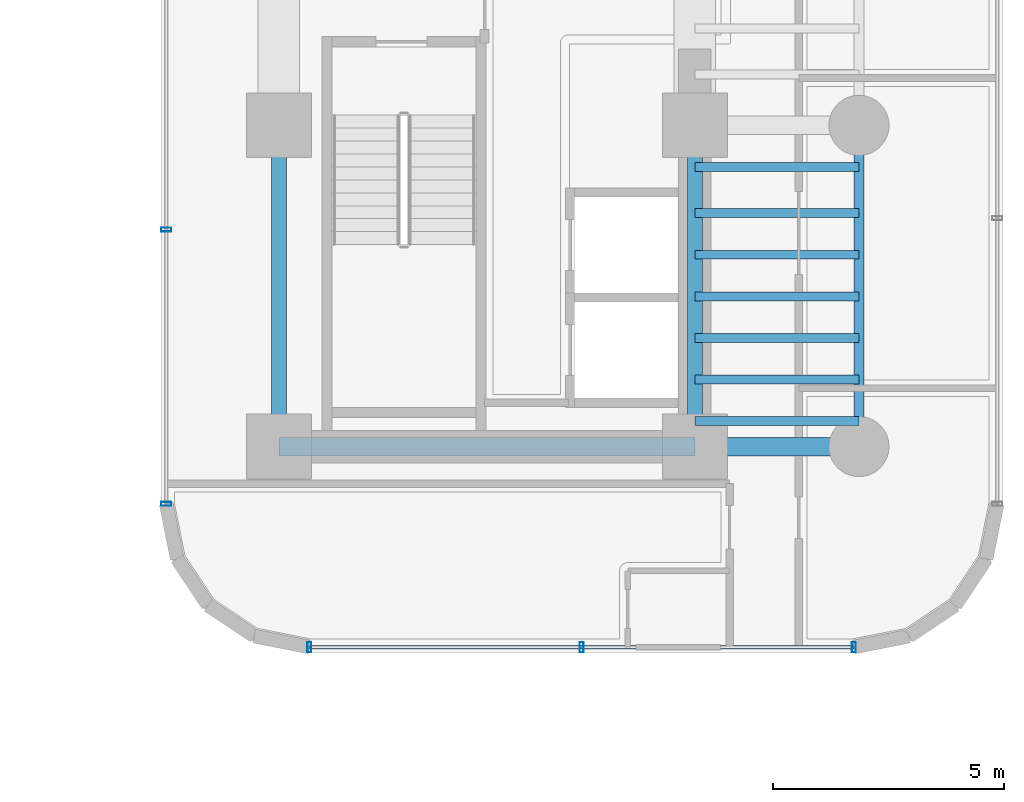
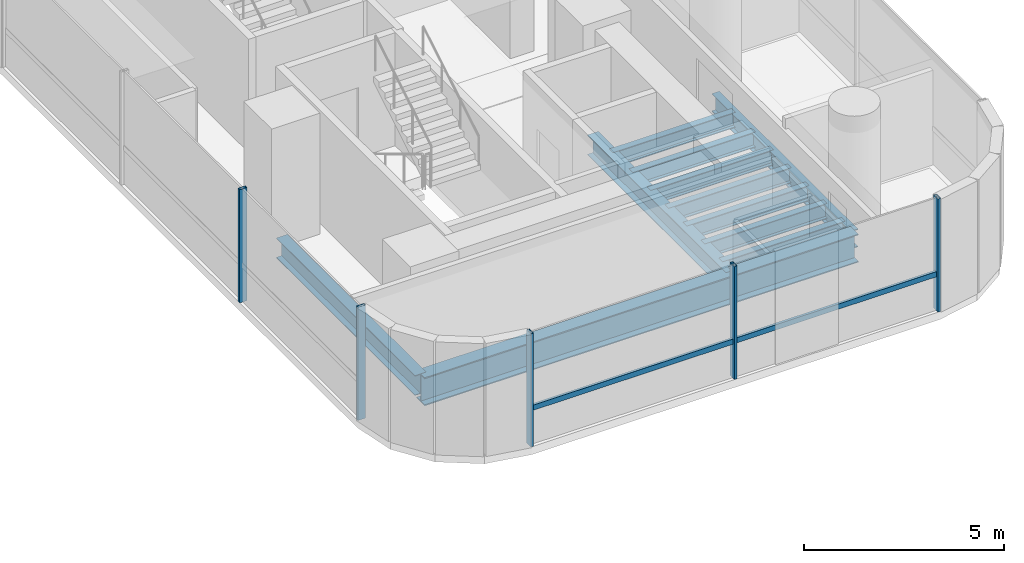
# One storey, part 12 of 40: 12 beams, 6 members, 2 elements without a shape of their own.
"""IFC4 building model written with IfcOpenShell, lengths in metres."""

from ifc_helpers import new_model, si_unit, direction, frame, origin, origin_2d, place, context, subcontext, project, spatial, hollow_rectangle, i_section, extrude, source, transform, mapped, material, material_profile, profile_set, type_object, element, aggregate, save


model = new_model("IFC4")

# Units and contexts
model_context = context("Model", 3, precision=1e-05, world=origin(), true_north=direction((0.0, 1.0)))
body_context = subcontext(model_context, "Body", "Model", "MODEL_VIEW")
ifc_project = project(units=[si_unit("LENGTHUNIT", "METRE"), si_unit("AREAUNIT", "SQUARE_METRE"), si_unit("VOLUMEUNIT", "CUBIC_METRE"), si_unit("PLANEANGLEUNIT", "RADIAN"), si_unit("MASSUNIT", "GRAM", prefix="KILO")], contexts=[model_context])

# Site, building, storey
site_placement = place(None, origin())
site = spatial("IfcSite", under=ifc_project, at=site_placement, CompositionType="ELEMENT")
building_placement = place(site_placement, origin())
building = spatial("IfcBuilding", under=site, at=building_placement, Name="Valdorenza Pilgrim Sanctuary Tower", CompositionType="ELEMENT")
storey_placement = place(building_placement, frame((0.0, 0.0, 40.800048828125)))
storey = spatial("IfcBuildingStorey", under=building, at=storey_placement, Name="L09", CompositionType="ELEMENT", Elevation=40.800048828125)

# Beams
ifc_material_1 = material(Name="Steel ASTM A992 Grade 50", Category="steel")
ifc_material_profile_1 = material_profile(ifc_material_1, i_section(OverallWidth=0.323974609375, OverallDepth=0.611083984375, WebThickness=0.0126953125, FlangeThickness=0.01904296875, at=origin_2d()), Name="W24X104")
ifc_profile_set_1 = profile_set([ifc_material_profile_1], Name="Steel ASTM A992 Grade 50")
beam_type_1 = type_object("IfcBeamType", Name="STR-BM-GRD-W24B", PredefinedType="BEAM", material=ifc_profile_set_1)
shared_shape_1 = source(origin(), body_context, "Body", "SweptSolid", [
    extrude(i_section(OverallWidth=0.323974609375, OverallDepth=0.611083984375, WebThickness=0.0126953125, FlangeThickness=0.01904296875, at=origin_2d()), origin(), (0.0, 0.0, 1.0), 6.949951171875),
])
for number, where, z_axis, x_axis, name in (
    (1, (15.85009765625, -9.550048828125, -0.545654296875), (0.0, 1.0, 0.0), (-1.0, 0.0, 0.0), "L09 Core Tie Girder CB-W-S1M0"),
    (2, (24.85009765625, -9.550048828125, -0.545654296875), (0.0, 1.0, 0.0), (-1.0, 0.0, 0.0), "L09 Core Tie Girder CB-E-S1M0"),
):
    element("IfcBeam", number, at=place(storey_placement, frame(where, z_axis=z_axis, x_axis=x_axis)), inside=storey, type_object=beam_type_1, Name=name, PredefinedType="BEAM", context=body_context, shape_type="MappedRepresentation", body=[
        mapped(shared_shape_1, transform((0.0, 0.0, 0.0), x_axis=(1.0, 0.0, 0.0), y_axis=(0.0, 1.0, 0.0), z_axis=(0.0, 0.0, 1.0), scale=1.0)),
    ])
ifc_material_profile_2 = material_profile(ifc_material_1, i_section(OverallWidth=0.214111328125, OverallDepth=0.549072265625, WebThickness=0.0146484375, FlangeThickness=0.023681640625, at=origin_2d()), Name="W21X93")
ifc_profile_set_2 = profile_set([ifc_material_profile_2], Name="Steel ASTM A992 Grade 50")
beam_type_2 = type_object("IfcBeamType", Name="STR-BM-SPN-W21A", PredefinedType="SPANDREL", material=ifc_profile_set_2)
shared_shape_2 = source(origin(), body_context, "Body", "SweptSolid", [
    extrude(i_section(OverallWidth=0.214111328125, OverallDepth=0.549072265625, WebThickness=0.0146484375, FlangeThickness=0.023681640625, at=origin_2d()), origin(), (0.0, 0.0, 1.0), 6.949951171875),
])
beam_1_placement = place(storey_placement, frame((28.39990234375, -9.550048828125, -0.5146484375), z_axis=(0.0, 1.0, 0.0), x_axis=(-1.0, 0.0, 0.0)))
element("IfcBeam", 3, at=beam_1_placement, inside=storey, type_object=beam_type_2, Name="L09 Spandrel Beam WB-E-S1M0", PredefinedType="SPANDREL", context=body_context, shape_type="MappedRepresentation", body=[
    mapped(shared_shape_2, transform((0.0, 0.0, 0.0), x_axis=(1.0, 0.0, 0.0), y_axis=(0.0, 1.0, 0.0), z_axis=(0.0, 0.0, 1.0), scale=1.0)),
])
ifc_material_profile_3 = material_profile(ifc_material_1, i_section(OverallWidth=0.193115234375, OverallDepth=0.466064453125, WebThickness=0.011474609375, FlangeThickness=0.01904296875, at=origin_2d()), Name="W18X65")
ifc_profile_set_3 = profile_set([ifc_material_profile_3], Name="Steel ASTM A992 Grade 50")
beam_type_3 = type_object("IfcBeamType", Name="STR-BM-JST-W18A", PredefinedType="JOIST", material=ifc_profile_set_3)
shared_shape_3 = source(origin(), body_context, "Body", "SweptSolid", [
    extrude(i_section(OverallWidth=0.193115234375, OverallDepth=0.466064453125, WebThickness=0.011474609375, FlangeThickness=0.01904296875, at=origin_2d()), origin(), (0.0, 0.0, 1.0), 3.5498046875),
])
for number, where, z_axis, x_axis, name in (
    (4, (24.85009765625, -9.0, -0.47314453125), (1.0, 0.0, 0.0), (0.0, 1.0, 0.0), "L09 Composite Floor Joist JST-WB-1"),
    (5, (24.85009765625, -8.10009765625, -0.47314453125), (1.0, 0.0, 0.0), (0.0, 1.0, 0.0), "L09 Composite Floor Joist JST-WB-2"),
    (6, (24.85009765625, -7.199951171875, -0.47314453125), (1.0, 0.0, 0.0), (0.0, 1.0, 0.0), "L09 Composite Floor Joist JST-WB-3"),
    (7, (24.85009765625, -6.300048828125, -0.47314453125), (1.0, 0.0, 0.0), (0.0, 1.0, 0.0), "L09 Composite Floor Joist JST-WB-4"),
    (8, (24.85009765625, -5.39990234375, -0.47314453125), (1.0, 0.0, 0.0), (0.0, 1.0, 0.0), "L09 Composite Floor Joist JST-WB-5"),
    (9, (24.85009765625, -4.5, -0.47314453125), (1.0, 0.0, 0.0), (0.0, 1.0, 0.0), "L09 Composite Floor Joist JST-WB-6"),
    (10, (24.85009765625, -3.5, -0.47314453125), (1.0, 0.0, 0.0), (0.0, 1.0, 0.0), "L09 Composite Floor Joist JST-WB-7"),
):
    element("IfcBeam", number, at=place(storey_placement, frame(where, z_axis=z_axis, x_axis=x_axis)), inside=storey, type_object=beam_type_3, Name=name, PredefinedType="JOIST", context=body_context, shape_type="MappedRepresentation", body=[
        mapped(shared_shape_3, transform((0.0, 0.0, 0.0), x_axis=(1.0, 0.0, 0.0), y_axis=(0.0, 1.0, 0.0), z_axis=(0.0, 0.0, 1.0), scale=1.0)),
    ])
ifc_material_profile_4 = material_profile(ifc_material_1, i_section(OverallWidth=0.39990234375, OverallDepth=0.862060546875, WebThickness=0.019775390625, FlangeThickness=0.032470703125, at=origin_2d()), Name="W33X221")
ifc_profile_set_4 = profile_set([ifc_material_profile_4], Name="Steel ASTM A992 Grade 50")
beam_type_4 = type_object("IfcBeamType", Name="STR-BM-GRD-W33", PredefinedType="BEAM", material=ifc_profile_set_4)
shared_shape_4 = source(origin(), body_context, "Body", "SweptSolid", [
    extrude(i_section(OverallWidth=0.39990234375, OverallDepth=0.862060546875, WebThickness=0.019775390625, FlangeThickness=0.032470703125, at=origin_2d()), origin(), (0.0, 0.0, 1.0), 9.0),
])
beam_2_placement = place(storey_placement, frame((15.85009765625, -9.550048828125, -0.671142578125), z_axis=(1.0, 0.0, 0.0), x_axis=(0.0, 1.0, 0.0)))
element("IfcBeam", 11, at=beam_2_placement, inside=storey, type_object=beam_type_4, Name="L09 Floor Girder CB-XC-S1", PredefinedType="BEAM", context=body_context, shape_type="MappedRepresentation", body=[
    mapped(shared_shape_4, transform((0.0, 0.0, 0.0), x_axis=(1.0, 0.0, 0.0), y_axis=(0.0, 1.0, 0.0), z_axis=(0.0, 0.0, 1.0), scale=1.0)),
])
shared_shape_5 = source(origin(), body_context, "Body", "SweptSolid", [
    extrude(i_section(OverallWidth=0.39990234375, OverallDepth=0.862060546875, WebThickness=0.019775390625, FlangeThickness=0.032470703125, at=origin_2d()), origin(), (0.0, 0.0, 1.0), 3.5498046875),
])
beam_3_placement = place(storey_placement, frame((24.85009765625, -9.550048828125, -0.671142578125), z_axis=(1.0, 0.0, 0.0), x_axis=(0.0, 1.0, 0.0)))
element("IfcBeam", 12, at=beam_3_placement, inside=storey, type_object=beam_type_4, Name="L09 Floor Girder WB-XE-S1", PredefinedType="BEAM", context=body_context, shape_type="MappedRepresentation", body=[
    mapped(shared_shape_5, transform((0.0, 0.0, 0.0), x_axis=(1.0, 0.0, 0.0), y_axis=(0.0, 1.0, 0.0), z_axis=(0.0, 0.0, 1.0), scale=1.0)),
])

# Curtain wall, members
ifc_material_2 = material(Name="Curtain-wall IGU glazing", Category="glass")
curtain_wall_type = type_object("IfcCurtainWallType", Name="CW-SYS-03", PredefinedType="NOTDEFINED", material=ifc_material_2)
curtain_wall_1_placement = place(storey_placement, origin())
curtain_wall_1 = element("IfcCurtainWall", 13, at=curtain_wall_1_placement, inside=storey, type_object=curtain_wall_type, Name="L09 Curtain Wall CW-L09-1-26", PredefinedType="NOTDEFINED")
ifc_material_3 = material(Name="Anodised aluminium AW-6060", Category="aluminium")
ifc_material_profile_5 = material_profile(ifc_material_3, hollow_rectangle(XDim=0.0849609375, YDim=0.219970703125, WallThickness=0.0048828125, at=origin_2d()), Name="ALU-M 220x85x5")
ifc_profile_set_5 = profile_set([ifc_material_profile_5], Name="Anodised aluminium AW-6060")
member_type_1 = type_object("IfcMemberType", Name="CW-MUL-03", PredefinedType="MULLION", material=ifc_profile_set_5)
shared_shape_6 = source(origin(), body_context, "Body", "SweptSolid", [
    extrude(hollow_rectangle(XDim=0.0849609375, YDim=0.219970703125, WallThickness=0.0048828125, at=origin_2d()), origin(), (0.0, 0.0, 1.0), 3.4599609375),
])
member_1_placement = place(storey_placement, frame((28.289306640625, -13.889892578125, 0.0), z_axis=(0.0, 0.0, 1.0), x_axis=(-1.0, 0.0, 0.0)))
member_1 = element("IfcMember", 14, at=member_1_placement, type_object=member_type_1, Name="CW-L09-1-26 Mullion 1", PredefinedType="MULLION", context=body_context, shape_type="MappedRepresentation", body=[
    mapped(shared_shape_6, transform((0.0, 0.0, 0.0), x_axis=(1.0, 0.0, 0.0), y_axis=(0.0, 1.0, 0.0), z_axis=(0.0, 0.0, 1.0), scale=1.0)),
])
member_2_placement = place(storey_placement, frame((22.39990234375, -13.889892578125, 0.0), z_axis=(0.0, 0.0, 1.0), x_axis=(-1.0, 0.0, 0.0)))
member_2 = element("IfcMember", 15, at=member_2_placement, type_object=member_type_1, Name="CW-L09-1-26 Mullion 2", PredefinedType="MULLION", context=body_context, shape_type="MappedRepresentation", body=[
    mapped(shared_shape_6, transform((0.0, 0.0, 0.0), x_axis=(1.0, 0.0, 0.0), y_axis=(0.0, 1.0, 0.0), z_axis=(0.0, 0.0, 1.0), scale=1.0)),
])
member_3_placement = place(storey_placement, frame((16.5107421875, -13.889892578125, 0.0), z_axis=(0.0, 0.0, 1.0), x_axis=(-1.0, 0.0, 0.0)))
member_3 = element("IfcMember", 16, at=member_3_placement, type_object=member_type_1, Name="CW-L09-1-26 Mullion 3", PredefinedType="MULLION", context=body_context, shape_type="MappedRepresentation", body=[
    mapped(shared_shape_6, transform((0.0, 0.0, 0.0), x_axis=(1.0, 0.0, 0.0), y_axis=(0.0, 1.0, 0.0), z_axis=(0.0, 0.0, 1.0), scale=1.0)),
])

curtain_wall_2_placement = place(storey_placement, origin())
curtain_wall_2 = element("IfcCurtainWall", 17, at=curtain_wall_2_placement, inside=storey, type_object=curtain_wall_type, Name="L09 Curtain Wall CW-L09-1-31", PredefinedType="NOTDEFINED")
member_4_placement = place(storey_placement, frame((13.409912109375, -10.789306640625, 0.0), z_axis=(0.0, 0.0, 1.0), x_axis=(0.0, 1.0, 0.0)))
member_4 = element("IfcMember", 18, at=member_4_placement, type_object=member_type_1, Name="CW-L09-1-31 Mullion 1", PredefinedType="MULLION", context=body_context, shape_type="MappedRepresentation", body=[
    mapped(shared_shape_6, transform((0.0, 0.0, 0.0), x_axis=(1.0, 0.0, 0.0), y_axis=(0.0, 1.0, 0.0), z_axis=(0.0, 0.0, 1.0), scale=1.0)),
])
member_5_placement = place(storey_placement, frame((13.409912109375, -4.85595703125, 0.0), z_axis=(0.0, 0.0, 1.0), x_axis=(0.0, 1.0, 0.0)))
member_5 = element("IfcMember", 19, at=member_5_placement, type_object=member_type_1, Name="CW-L09-1-31 Mullion 2", PredefinedType="MULLION", context=body_context, shape_type="MappedRepresentation", body=[
    mapped(shared_shape_6, transform((0.0, 0.0, 0.0), x_axis=(1.0, 0.0, 0.0), y_axis=(0.0, 1.0, 0.0), z_axis=(0.0, 0.0, 1.0), scale=1.0)),
])
aggregate(curtain_wall_2, [member_4, member_5])

# Member
ifc_material_profile_6 = material_profile(ifc_material_3, hollow_rectangle(XDim=0.074951171875, YDim=0.159912109375, WallThickness=0.00390625, at=origin_2d()), Name="ALU-T 160x75x4")
ifc_profile_set_6 = profile_set([ifc_material_profile_6], Name="Anodised aluminium AW-6060")
member_type_2 = type_object("IfcMemberType", Name="CW-TRN-03", PredefinedType="USERDEFINED", material=ifc_profile_set_6)
shared_shape_7 = source(origin(), body_context, "Body", "SweptSolid", [
    extrude(hollow_rectangle(XDim=0.074951171875, YDim=0.159912109375, WallThickness=0.00390625, at=origin_2d()), origin(), (0.0, 0.0, 1.0), 11.778564453125),
])
member_6_placement = place(storey_placement, frame((28.289306640625, -13.889892578125, 1.119873046875), z_axis=(-1.0, 0.0, 0.0), x_axis=(0.0, -1.0, 0.0)))
member_6 = element("IfcMember", 20, at=member_6_placement, type_object=member_type_2, Name="CW-L09-1-26 Transom 1", ObjectType="TRANSOM", PredefinedType="USERDEFINED", context=body_context, shape_type="MappedRepresentation", body=[
    mapped(shared_shape_7, transform((0.0, 0.0, 0.0), x_axis=(1.0, 0.0, 0.0), y_axis=(0.0, 1.0, 0.0), z_axis=(0.0, 0.0, 1.0), scale=1.0)),
])

aggregate(curtain_wall_1, [member_1, member_2, member_3, member_6])

save(model, "model.ifc")
